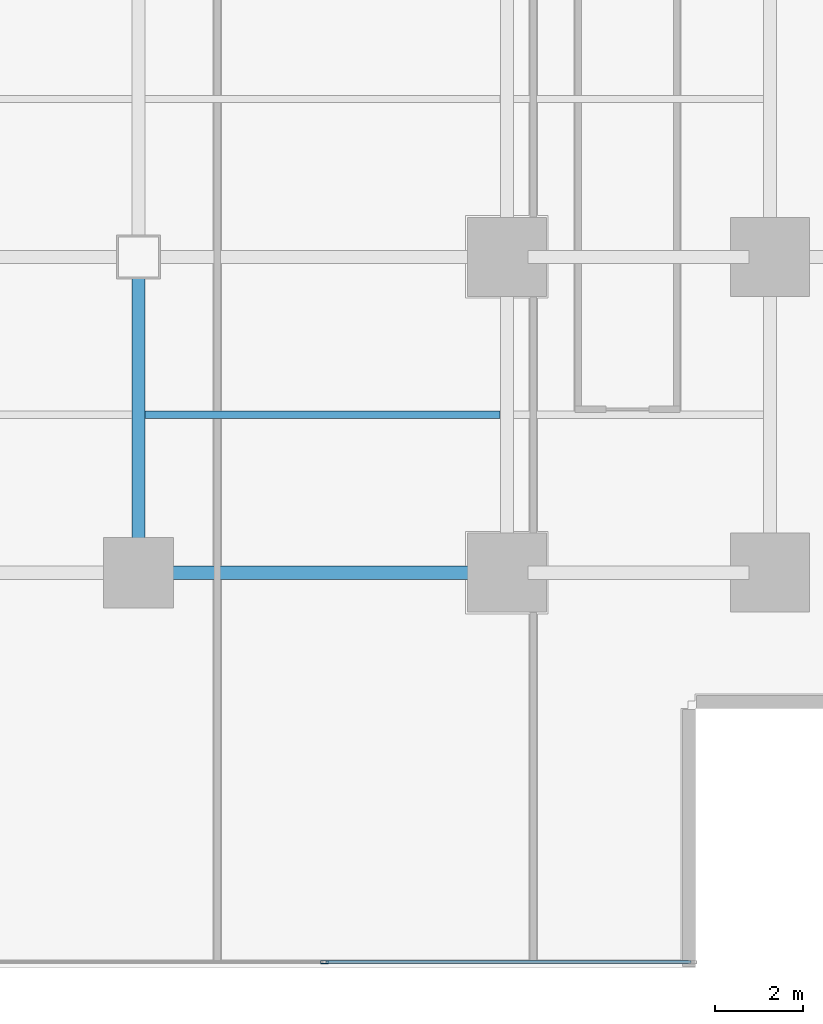
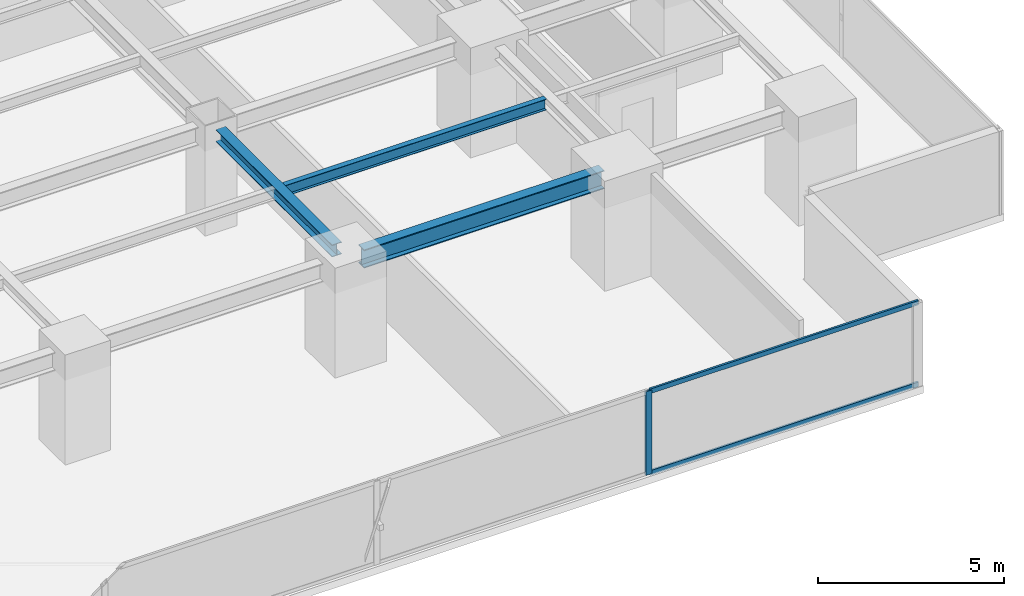
# One storey, part 11 of 32: 3 beams, 3 members, 1 element without a shape of its own.
"""IFC4 building model written with IfcOpenShell, lengths in metres."""

from ifc_helpers import new_model, si_unit, direction, frame, origin, origin_2d, place, context, subcontext, project, spatial, hollow_rectangle, i_section, extrude, source, transform, mapped, material, layer, layer_set, material_profile, profile_set, type_object, element, aggregate, save


model = new_model("IFC4")

# Units and contexts
model_context = context("Model", 3, precision=1e-05, world=origin(), true_north=direction((0.0, 1.0)))
body_context = subcontext(model_context, "Body", "Model", "MODEL_VIEW")
ifc_project = project(units=[si_unit("LENGTHUNIT", "METRE"), si_unit("AREAUNIT", "SQUARE_METRE"), si_unit("VOLUMEUNIT", "CUBIC_METRE"), si_unit("PLANEANGLEUNIT", "RADIAN"), si_unit("MASSUNIT", "GRAM", prefix="KILO")], contexts=[model_context])

# Site, building, storey
site_placement = place(None, origin())
site = spatial("IfcSite", under=ifc_project, at=site_placement, CompositionType="ELEMENT")
building_placement = place(site_placement, origin())
building = spatial("IfcBuilding", under=site, at=building_placement, Name="Sumidabori Civic Tower", CompositionType="ELEMENT")
storey_placement = place(building_placement, frame((0.0, 0.0, 52.39990234375)))
storey = spatial("IfcBuildingStorey", under=building, at=storey_placement, Name="L13", CompositionType="ELEMENT", Elevation=52.39990234375)

# Beams
ifc_material_1 = material(Name="Steel SN490", Category="steel")
ifc_material_profile_1 = material_profile(ifc_material_1, i_section(OverallWidth=0.300048828125, OverallDepth=0.60009765625, WebThickness=0.015380859375, FlangeThickness=0.030029296875, at=origin_2d()), Name="HE 600 B")
ifc_profile_set_1 = profile_set([ifc_material_profile_1], Name="Steel SN490")
beam_type_1 = type_object("IfcBeamType", Name="BM-GIRD-600", PredefinedType="BEAM", material=ifc_profile_set_1)
shared_shape_1 = source(origin(), body_context, "Body", "SweptSolid", [
    extrude(i_section(OverallWidth=0.300048828125, OverallDepth=0.60009765625, WebThickness=0.015380859375, FlangeThickness=0.030029296875, at=origin_2d()), origin(), (0.0, 0.0, 1.0), 7.440185546875),
])
beam_1_placement = place(storey_placement, frame((8.8798828125, -18.0, 3.06005859375), z_axis=(1.0, 0.0, 0.0), x_axis=(0.0, 1.0, 0.0)))
element("IfcBeam", 1, at=beam_1_placement, inside=storey, type_object=beam_type_1, Name="Primary Girder L13 GX-05", PredefinedType="BEAM", context=body_context, shape_type="MappedRepresentation", body=[
    mapped(shared_shape_1, transform((0.0, 0.0, 0.0), x_axis=(1.0, 0.0, 0.0), y_axis=(0.0, 1.0, 0.0), z_axis=(0.0, 0.0, 1.0), scale=1.0)),
])
ifc_material_profile_2 = material_profile(ifc_material_1, i_section(OverallWidth=0.300048828125, OverallDepth=0.39990234375, WebThickness=0.013427734375, FlangeThickness=0.02392578125, at=origin_2d()), Name="HE 400 B")
ifc_profile_set_2 = profile_set([ifc_material_profile_2], Name="Steel SN490")
beam_type_2 = type_object("IfcBeamType", Name="BM-GIRD-400", PredefinedType="BEAM", material=ifc_profile_set_2)
shared_shape_2 = source(origin(), body_context, "Body", "SweptSolid", [
    extrude(i_section(OverallWidth=0.300048828125, OverallDepth=0.39990234375, WebThickness=0.013427734375, FlangeThickness=0.02392578125, at=origin_2d()), origin(), (0.0, 0.0, 1.0), 6.239990234375),
])
beam_2_placement = place(storey_placement, frame((8.39990234375, -17.52001953125, 3.16015625), z_axis=(0.0, 1.0, 0.0), x_axis=(-1.0, 0.0, 0.0)))
element("IfcBeam", 2, at=beam_2_placement, inside=storey, type_object=beam_type_2, Name="Primary Girder L13 GY-33", PredefinedType="BEAM", context=body_context, shape_type="MappedRepresentation", body=[
    mapped(shared_shape_2, transform((0.0, 0.0, 0.0), x_axis=(1.0, 0.0, 0.0), y_axis=(0.0, 1.0, 0.0), z_axis=(0.0, 0.0, 1.0), scale=1.0)),
])
ifc_material_profile_3 = material_profile(ifc_material_1, i_section(OverallWidth=0.169921875, OverallDepth=0.360107421875, WebThickness=0.008056640625, FlangeThickness=0.0126953125, at=origin_2d()), Name="IPE 360")
ifc_profile_set_3 = profile_set([ifc_material_profile_3], Name="Steel SN490")
beam_type_3 = type_object("IfcBeamType", Name="BM-JST-360", PredefinedType="JOIST", material=ifc_profile_set_3)
shared_shape_3 = source(origin(), body_context, "Body", "SweptSolid", [
    extrude(i_section(OverallWidth=0.169921875, OverallDepth=0.360107421875, WebThickness=0.008056640625, FlangeThickness=0.0126953125, at=origin_2d()), origin(), (0.0, 0.0, 1.0), 8.099853515625),
])
beam_3_placement = place(storey_placement, frame((8.550048828125, -14.39990234375, 3.18017578125), z_axis=(1.0, 0.0, 0.0), x_axis=(0.0, 1.0, 0.0)))
element("IfcBeam", 3, at=beam_3_placement, inside=storey, type_object=beam_type_3, Name="South Bay Floor Joist L13 JSTS-64", PredefinedType="JOIST", context=body_context, shape_type="MappedRepresentation", body=[
    mapped(shared_shape_3, transform((0.0, 0.0, 0.0), x_axis=(1.0, 0.0, 0.0), y_axis=(0.0, 1.0, 0.0), z_axis=(0.0, 0.0, 1.0), scale=1.0)),
])

# Curtain wall, members
ifc_material_2 = material(Name="Anodised Bronze Aluminium AW-6063-T6", Category="aluminium")
ifc_layer = layer(ifc_material_2, 0.179931640625, Name="Anodised Bronze Aluminium AW-6063-T6")
ifc_layer_set = layer_set([ifc_layer], Name="Anodised Bronze Aluminium AW-6063-T6")
curtain_wall_type = type_object("IfcCurtainWallType", Name="CW-SYS-2", PredefinedType="NOTDEFINED", material=ifc_layer_set)
curtain_wall_placement = place(storey_placement, origin())
curtain_wall = element("IfcCurtainWall", 4, at=curtain_wall_placement, inside=storey, type_object=curtain_wall_type, Name="Curtain Wall CW:L13:R01", PredefinedType="NOTDEFINED")
ifc_material_profile_4 = material_profile(ifc_material_2, hollow_rectangle(XDim=0.070068359375, YDim=0.179931640625, WallThickness=0.006103515625, at=origin_2d()), Name="ALU MULLION 180x70")
ifc_profile_set_4 = profile_set([ifc_material_profile_4], Name="Anodised Bronze Aluminium AW-6063-T6")
member_type_1 = type_object("IfcMemberType", Name="CW-MUL-180", PredefinedType="MULLION", material=ifc_profile_set_4)
shared_shape_4 = source(origin(), body_context, "Body", "SweptSolid", [
    extrude(hollow_rectangle(XDim=0.070068359375, YDim=0.179931640625, WallThickness=0.006103515625, at=origin_2d()), origin(), (0.0, 0.0, 1.0), 2.739990234375),
])
member_1_placement = place(storey_placement, frame((12.64208984375, -26.8798828125, 0.0), z_axis=(0.0, 0.0, 1.0), x_axis=(0.0, 1.0, 0.0)))
member_1 = element("IfcMember", 5, at=member_1_placement, type_object=member_type_1, Name="CW-2 mullion 5", PredefinedType="MULLION", context=body_context, shape_type="MappedRepresentation", body=[
    mapped(shared_shape_4, transform((0.0, 0.0, 0.0), x_axis=(1.0, 0.0, 0.0), y_axis=(0.0, 1.0, 0.0), z_axis=(0.0, 0.0, 1.0), scale=1.0)),
])
ifc_material_profile_5 = material_profile(ifc_material_2, hollow_rectangle(XDim=0.06494140625, YDim=0.14990234375, WallThickness=0.0048828125, at=origin_2d()), Name="ALU TRANSOM 150x65")
ifc_profile_set_5 = profile_set([ifc_material_profile_5], Name="Anodised Bronze Aluminium AW-6063-T6")
member_type_2 = type_object("IfcMemberType", Name="CW-TRN-150", PredefinedType="USERDEFINED", material=ifc_profile_set_5)
shared_shape_5 = source(origin(), body_context, "Body", "SweptSolid", [
    extrude(hollow_rectangle(XDim=0.06494140625, YDim=0.14990234375, WallThickness=0.0048828125, at=origin_2d()), origin(), (0.0, 0.0, 1.0), 8.322998046875),
])
member_2_placement = place(storey_placement, frame((12.677001953125, -26.8798828125, 0.03271484375), z_axis=(1.0, 0.0, 0.0), x_axis=(0.0, 1.0, 0.0)))
member_2 = element("IfcMember", 6, at=member_2_placement, type_object=member_type_2, Name="CW-2 transom 5.1", ObjectType="TRANSOM", PredefinedType="USERDEFINED", context=body_context, shape_type="MappedRepresentation", body=[
    mapped(shared_shape_5, transform((0.0, 0.0, 0.0), x_axis=(1.0, 0.0, 0.0), y_axis=(0.0, 1.0, 0.0), z_axis=(0.0, 0.0, 1.0), scale=1.0)),
])
member_3_placement = place(storey_placement, frame((12.677001953125, -26.8798828125, 2.70751953125), z_axis=(1.0, 0.0, 0.0), x_axis=(0.0, 1.0, 0.0)))
member_3 = element("IfcMember", 7, at=member_3_placement, type_object=member_type_2, Name="CW-2 transom 5.2", ObjectType="TRANSOM", PredefinedType="USERDEFINED", context=body_context, shape_type="MappedRepresentation", body=[
    mapped(shared_shape_5, transform((0.0, 0.0, 0.0), x_axis=(1.0, 0.0, 0.0), y_axis=(0.0, 1.0, 0.0), z_axis=(0.0, 0.0, 1.0), scale=1.0)),
])
aggregate(curtain_wall, [member_1, member_2, member_3])

save(model, "model.ifc")
